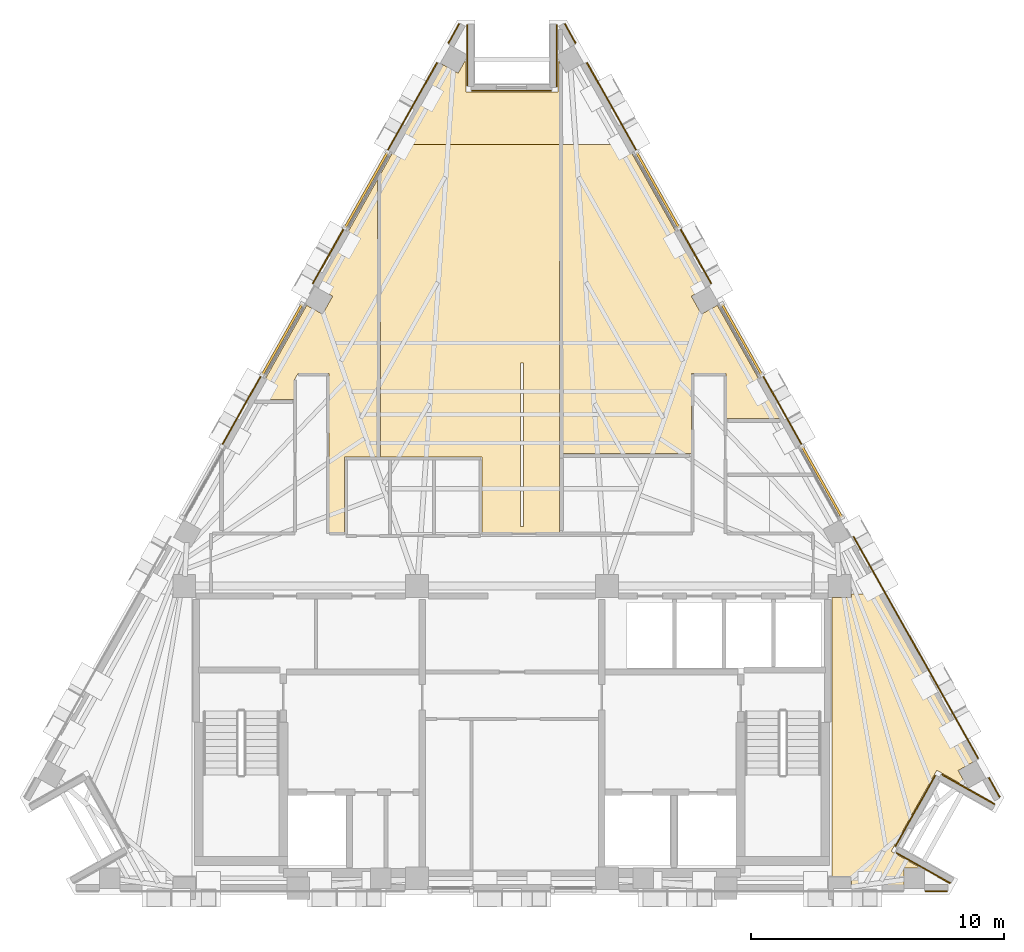
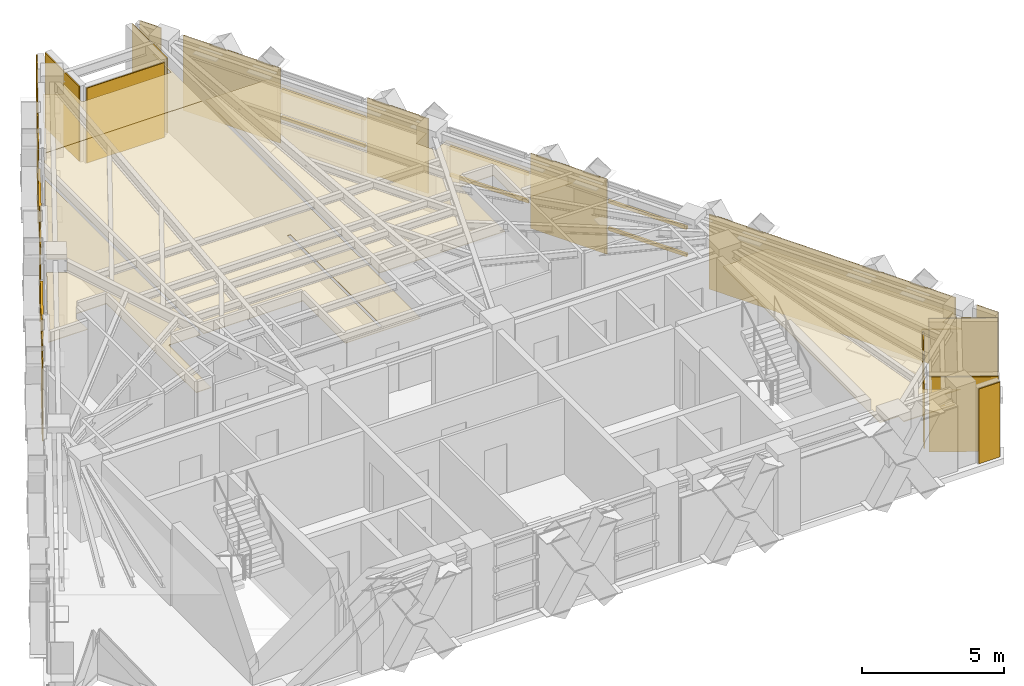
# One storey, part 11 of 11: 22 coverings, 10 shading devices.
"""IFC4 building model written with IfcOpenShell, lengths in metres."""

from ifc_helpers import new_model, si_unit, direction, frame, origin, origin_2d, place, context, subcontext, project, spatial, polyline, rectangle, outline, extrude, material, layer, layer_set, material_profile, profile_set, type_object, element, save


model = new_model("IFC4")

# Units and contexts
model_context = context("Model", 3, precision=1e-05, world=origin(), true_north=direction((0.0, 1.0)))
body_context = subcontext(model_context, "Body", "Model", "MODEL_VIEW")
ifc_project = project(units=[si_unit("LENGTHUNIT", "METRE"), si_unit("AREAUNIT", "SQUARE_METRE"), si_unit("VOLUMEUNIT", "CUBIC_METRE"), si_unit("PLANEANGLEUNIT", "RADIAN"), si_unit("MASSUNIT", "GRAM", prefix="KILO")], contexts=[model_context])

# Site, building, storey
site_placement = place(None, origin())
site = spatial("IfcSite", under=ifc_project, at=site_placement, CompositionType="ELEMENT")
building_placement = place(site_placement, origin())
building = spatial("IfcBuilding", under=site, at=building_placement, Name="Quenlor Broadcast Tower", CompositionType="ELEMENT")
storey_placement = place(building_placement, frame((0.0, 0.0, 263.89990234375)))
storey = spatial("IfcBuildingStorey", under=building, at=storey_placement, Name="L73", CompositionType="ELEMENT", Elevation=263.89990234375)

# Coverings
ifc_material_1 = material(Name="Acoustic Mineral Fibre Board", Category="other")
ifc_layer_1 = layer(ifc_material_1, 0.02490234375)
ifc_layer_set_1 = layer_set([ifc_layer_1], Name="Acoustic Perforated Mineral Tile Ceiling 25")
covering_type_1 = type_object("IfcCoveringType", Name="Acoustic Perforated Mineral Tile Ceiling 25", PredefinedType="CEILING", material=ifc_layer_set_1)
covering_1_placement = place(storey_placement, frame((0.0, 0.0, 2.714599609375)))
element("IfcCovering", 1, at=covering_1_placement, inside=storey, type_object=covering_type_1, Name="L73 Acoustic Ceiling L73-24", PredefinedType="CEILING", context=body_context, shape_type="SweptSolid", body=[
    extrude(outline(polyline([(1.8798828125, -2.699951171875), (-1.179931640625, -2.699951171875), (-1.179931640625, 0.2900390625), (-5.199951171875, 0.2900390625), (-5.199951171875, 11.4619140625), (-4.53173828125, 12.64990234375), (1.8798828125, 12.64990234375), (1.8798828125, -2.699951171875)]), holes=[polyline([(0.340087890625, -2.449951171875), (0.4599609375, -2.449951171875), (0.4599609375, 4.010009765625), (0.340087890625, 4.010009765625), (0.340087890625, -2.449951171875)])]), origin(), (0.0, 0.0, 1.0), 0.025146484375),
])
covering_2_placement = place(storey_placement, frame((0.0, 0.0, 2.714599609375)))
element("IfcCovering", 2, at=covering_2_placement, inside=storey, type_object=covering_type_1, Name="L73 Acoustic Ceiling L73-24-2", PredefinedType="CEILING", context=body_context, shape_type="SweptSolid", body=[
    extrude(outline(polyline([(1.808837890625, 16.0263671875), (1.8798828125, 15.89990234375), (1.8798828125, 12.64990234375), (-4.53173828125, 12.64990234375), (-2.7548828125, 15.808837890625), (-2.129150390625, 15.456787109375), (-1.808837890625, 16.0263671875), (-1.808837890625, 14.719970703125), (1.808837890625, 14.719970703125), (1.808837890625, 16.0263671875)])), origin(), (0.0, 0.0, 1.0), 0.025146484375),
])
covering_3_placement = place(storey_placement, frame((0.0, 0.0, 2.714599609375)))
element("IfcCovering", 3, at=covering_3_placement, inside=storey, type_object=covering_type_1, Name="L73 Acoustic Ceiling L73-25", PredefinedType="CEILING", context=body_context, shape_type="SweptSolid", body=[
    extrude(outline(polyline([(7.10009765625, 0.425048828125), (2.0, 0.425048828125), (2.0, 12.64990234375), (4.53173828125, 12.64990234375), (7.711669921875, 6.996826171875), (7.0859375, 6.64501953125), (7.48583984375, 5.93359375), (8.11181640625, 6.28564453125), (10.62939453125, 1.81005859375), (8.4599609375, 1.81005859375), (8.4599609375, 3.590087890625), (7.10009765625, 3.590087890625), (7.10009765625, 0.425048828125)])), origin(), (0.0, 0.0, 1.0), 0.025146484375),
])
covering_4_placement = place(storey_placement, frame((0.0, 0.0, 2.714599609375)))
element("IfcCovering", 4, at=covering_4_placement, inside=storey, type_object=covering_type_1, Name="L73 Acoustic Ceiling L73-26", PredefinedType="CEILING", context=body_context, shape_type="SweptSolid", body=[
    extrude(outline(polyline([(-6.6201171875, 0.2900390625), (-6.6201171875, -2.699951171875), (-7.239990234375, -2.699951171875), (-7.239990234375, 3.590087890625), (-8.457763671875, 3.590087890625), (-8.60009765625, 3.337158203125), (-8.60009765625, 2.56005859375), (-10.20751953125, 2.56005859375), (-8.11181640625, 6.28564453125), (-7.48583984375, 5.93359375), (-7.0859375, 6.64501953125), (-7.711669921875, 6.996826171875), (-5.320068359375, 11.248779296875), (-5.320068359375, 0.2900390625), (-6.6201171875, 0.2900390625)])), origin(), (0.0, 0.0, 1.0), 0.025146484375),
])
ifc_material_2 = material(Name="Acoustic Gypsum Board", Category="other")
ifc_layer_2 = layer(ifc_material_2, 0.0400390625)
ifc_layer_set_2 = layer_set([ifc_layer_2], Name="Broadcast Studio Spring Isolated Ceiling 40")
covering_type_2 = type_object("IfcCoveringType", Name="Broadcast Studio Spring Isolated Ceiling 40", PredefinedType="CEILING", material=ifc_layer_set_2)
covering_5_placement = place(storey_placement, frame((0.0, 0.0, 2.69970703125)))
element("IfcCovering", 5, at=covering_5_placement, inside=storey, type_object=covering_type_2, Name="L73 Acoustic Ceiling L73-30-2", PredefinedType="CEILING", context=body_context, shape_type="SweptSolid", body=[
    extrude(outline(polyline([(13.407958984375, -5.1201171875), (14.52734375, -5.1201171875), (18.25244140625, -11.7421875), (17.626708984375, -12.09423828125), (18.0087890625, -12.773681640625), (16.785888671875, -12.085693359375), (14.983642578125, -15.28955078125), (16.1435546875, -15.94189453125), (15.489501953125, -15.94189453125), (15.489501953125, -16.659912109375), (13.407958984375, -16.659912109375), (13.407958984375, -16.2919921875), (12.64990234375, -16.2919921875), (12.64990234375, -5.258056640625), (13.407958984375, -5.258056640625), (13.407958984375, -5.1201171875)])), origin(), (0.0, 0.0, 1.0), 0.0400390625),
])

# Shading devices
ifc_material_3 = material(Name="Architectural Terracotta Ceramic", Category="masonry")
ifc_material_profile = material_profile(ifc_material_3, rectangle(XDim=0.090087890625, YDim=0.139892578125, at=origin_2d()))
ifc_profile_set = profile_set([ifc_material_profile], Name="Architectural Terracotta Ceramic BAG90x140")
shading_device_type = type_object("IfcShadingDeviceType", Name="Copper Terracotta Baguette Solar Screen 140", PredefinedType="USERDEFINED", material=ifc_profile_set)
for number, where, z_axis, x_axis, name in (
    (6, (4.920654296875, 12.331787109375, 1.170166015625), (0.490251066516, -0.871581259425, 0.0), (0.871581259425, 0.490251066516, 0.0), "L73 Terracotta Baguette Screen 1"),
    (7, (4.920654296875, 12.331787109375, 2.340087890625), (0.490251066516, -0.871581259425, 0.0), (0.871581259425, 0.490251066516, 0.0), "L73 Terracotta Baguette Screen 2"),
):
    element("IfcShadingDevice", number, at=place(storey_placement, frame(where, z_axis=z_axis, x_axis=x_axis)), inside=storey, type_object=shading_device_type, Name=name, ObjectType="BAGUETTE", PredefinedType="USERDEFINED", context=body_context, shape_type="SweptSolid", body=[
        extrude(rectangle(XDim=0.090087890625, YDim=0.139892578125, at=origin_2d()), origin(), (0.0, 0.0, 1.0), 3.418212890625),
    ])
for number, where, z_axis, x_axis, name in (
    (8, (8.29296875, 6.336669921875, 1.170166015625), (0.490261239633, -0.871575537125, 0.0), (0.871575537125, 0.490261239633, 0.0), "L73 Terracotta Baguette Screen 1"),
    (9, (8.29296875, 6.336669921875, 2.340087890625), (0.490261239633, -0.871575537125, 0.0), (0.871575537125, 0.490261239633, 0.0), "L73 Terracotta Baguette Screen 2"),
    (10, (11.460205078125, 0.706298828125, 1.170166015625), (0.490203442487, -0.871608045496, 0.0), (0.871608045496, 0.490203442487, 0.0), "L73 Terracotta Baguette Screen 1"),
    (11, (11.460205078125, 0.706298828125, 2.340087890625), (0.490203442487, -0.871608045496, 0.0), (0.871608045496, 0.490203442487, 0.0), "L73 Terracotta Baguette Screen 2"),
):
    element("IfcShadingDevice", number, at=place(storey_placement, frame(where, z_axis=z_axis, x_axis=x_axis)), inside=storey, type_object=shading_device_type, Name=name, ObjectType="BAGUETTE", PredefinedType="USERDEFINED", context=body_context, shape_type="SweptSolid", body=[
        extrude(rectangle(XDim=0.090087890625, YDim=0.139892578125, at=origin_2d()), origin(), (0.0, 0.0, 1.0), 3.208984375),
    ])
for number, where, z_axis, x_axis, name in (
    (12, (-6.596435546875, 9.3525390625, 1.170166015625), (0.490251066516, 0.871581259425, 0.0), (-0.871581259425, 0.490251066516, 0.0), "L73 Terracotta Baguette Screen 1"),
    (13, (-6.596435546875, 9.3525390625, 2.340087890625), (0.490251066516, 0.871581259425, 0.0), (-0.871581259425, 0.490251066516, 0.0), "L73 Terracotta Baguette Screen 2"),
):
    element("IfcShadingDevice", number, at=place(storey_placement, frame(where, z_axis=z_axis, x_axis=x_axis)), inside=storey, type_object=shading_device_type, Name=name, ObjectType="BAGUETTE", PredefinedType="USERDEFINED", context=body_context, shape_type="SweptSolid", body=[
        extrude(rectangle(XDim=0.090087890625, YDim=0.139892578125, at=origin_2d()), origin(), (0.0, 0.0, 1.0), 3.418212890625),
    ])
for number, where, z_axis, x_axis, name in (
    (14, (-9.8662109375, 3.539794921875, 1.170166015625), (0.490261239633, 0.871575537125, 0.0), (-0.871575537125, 0.490261239633, 0.0), "L73 Terracotta Baguette Screen 1"),
    (15, (-9.8662109375, 3.539794921875, 2.340087890625), (0.490261239633, 0.871575537125, 0.0), (-0.871575537125, 0.490261239633, 0.0), "L73 Terracotta Baguette Screen 2"),
):
    element("IfcShadingDevice", number, at=place(storey_placement, frame(where, z_axis=z_axis, x_axis=x_axis)), inside=storey, type_object=shading_device_type, Name=name, ObjectType="BAGUETTE", PredefinedType="USERDEFINED", context=body_context, shape_type="SweptSolid", body=[
        extrude(rectangle(XDim=0.090087890625, YDim=0.139892578125, at=origin_2d()), origin(), (0.0, 0.0, 1.0), 3.208984375),
    ])

# Coverings
ifc_material_4 = material(Name="Architectural Terracotta Ceramic", Category="masonry")
ifc_layer_3 = layer(ifc_material_4, 0.044921875)
ifc_layer_set_3 = layer_set([ifc_layer_3], Name="Fluted Terracotta Rainscreen Cladding Panel")
covering_type_3 = type_object("IfcCoveringType", Name="Fluted Terracotta Rainscreen Cladding Panel", PredefinedType="CLADDING", material=ifc_layer_set_3)
covering_6_placement = place(storey_placement, frame((0.0, 0.0, 0.02001953125)))
element("IfcCovering", 16, at=covering_6_placement, inside=storey, type_object=covering_type_3, Name="L73 Terracotta Rainscreen Cladding L73-SHD-SS0", PredefinedType="CLADDING", context=body_context, shape_type="SweptSolid", body=[
    extrude(outline(polyline([(17.18994140625, -16.8369140625), (16.33251953125, -16.8369140625), (16.33251953125, -16.882080078125), (17.18994140625, -16.882080078125), (17.18994140625, -16.8369140625)])), origin(), (0.0, 0.0, 1.0), 3.2099609375),
])
covering_7_placement = place(storey_placement, frame((0.0, 0.0, 0.02001953125)))
element("IfcCovering", 17, at=covering_7_placement, inside=storey, type_object=covering_type_3, Name="L73 Terracotta Rainscreen Cladding L73-SHD-NES0", PredefinedType="CLADDING", context=body_context, shape_type="SweptSolid", body=[
    extrude(outline(polyline([(2.06201171875, 17.401611328125), (2.495849609375, 16.630615234375), (2.534912109375, 16.652587890625), (2.101318359375, 17.423583984375), (2.06201171875, 17.401611328125)])), origin(), (0.0, 0.0, 1.0), 3.2099609375),
])
covering_8_placement = place(storey_placement, frame((0.0, 0.0, 0.02001953125)))
element("IfcCovering", 18, at=covering_8_placement, inside=storey, type_object=covering_type_3, Name="L73 Terracotta Rainscreen Cladding L73-SHD-NES1", PredefinedType="CLADDING", context=body_context, shape_type="SweptSolid", body=[
    extrude(outline(polyline([(18.820068359375, -12.39013671875), (19.25390625, -13.161376953125), (19.29296875, -13.139404296875), (18.859130859375, -12.3681640625), (18.820068359375, -12.39013671875)])), origin(), (0.0, 0.0, 1.0), 3.2099609375),
])
covering_9_placement = place(storey_placement, frame((0.0, 0.0, 0.02001953125)))
element("IfcCovering", 19, at=covering_9_placement, inside=storey, type_object=covering_type_3, Name="L73 Terracotta Rainscreen Cladding L73-NEA-SP1", PredefinedType="CLADDING", context=body_context, shape_type="SweptSolid", body=[
    extrude(outline(polyline([(2.94091796875, 15.859619140625), (4.8935546875, 12.388427734375), (4.9326171875, 12.410400390625), (2.980224609375, 15.881591796875), (2.94091796875, 15.859619140625)])), origin(), (0.0, 0.0, 1.0), 3.2099609375),
])
covering_10_placement = place(storey_placement, frame((0.0, 0.0, 0.02001953125)))
element("IfcCovering", 20, at=covering_10_placement, inside=storey, type_object=covering_type_3, Name="L73 Terracotta Rainscreen Cladding L73-NEA-SP2", PredefinedType="CLADDING", context=body_context, shape_type="SweptSolid", body=[
    extrude(outline(polyline([(6.630615234375, 9.300048828125), (7.8515625, 7.129638671875), (7.890625, 7.151611328125), (6.669921875, 9.322021484375), (6.630615234375, 9.300048828125)])), origin(), (0.0, 0.0, 1.0), 3.2099609375),
])
covering_11_placement = place(storey_placement, frame((0.0, 0.0, 0.02001953125)))
element("IfcCovering", 21, at=covering_11_placement, inside=storey, type_object=covering_type_3, Name="L73 Terracotta Rainscreen Cladding L73-EW-NEC", PredefinedType="CLADDING", context=body_context, shape_type="SweptSolid", body=[
    extrude(outline(polyline([(13.471923828125, -2.862060546875), (18.402099609375, -11.626953125), (18.44140625, -11.60498046875), (13.51123046875, -2.840087890625), (13.471923828125, -2.862060546875)])), origin(), (0.0, 0.0, 1.0), 3.2099609375),
])
covering_12_placement = place(storey_placement, frame((0.0, 0.0, 0.02001953125)))
element("IfcCovering", 22, at=covering_12_placement, inside=storey, type_object=covering_type_3, Name="L73 Terracotta Rainscreen Cladding L73-NE-SP1", PredefinedType="CLADDING", context=body_context, shape_type="SweptSolid", body=[
    extrude(outline(polyline([(9.900390625, 3.4873046875), (11.432861328125, 0.7626953125), (11.47216796875, 0.784912109375), (9.939697265625, 3.50927734375), (9.900390625, 3.4873046875)])), origin(), (0.0, 0.0, 1.0), 3.2099609375),
])
covering_13_placement = place(storey_placement, frame((0.0, 0.0, 0.02001953125)))
element("IfcCovering", 23, at=covering_13_placement, inside=storey, type_object=covering_type_3, Name="L73 Terracotta Rainscreen Cladding L73-SHD-NWS1", PredefinedType="CLADDING", context=body_context, shape_type="SweptSolid", body=[
    extrude(outline(polyline([(-2.495849609375, 16.630615234375), (-2.06201171875, 17.401611328125), (-2.101318359375, 17.423583984375), (-2.534912109375, 16.652587890625), (-2.495849609375, 16.630615234375)])), origin(), (0.0, 0.0, 1.0), 3.2099609375),
])
covering_14_placement = place(storey_placement, frame((0.0, 0.0, 0.02001953125)))
element("IfcCovering", 24, at=covering_14_placement, inside=storey, type_object=covering_type_3, Name="L73 Terracotta Rainscreen Cladding L73-NWC-SP1", PredefinedType="CLADDING", context=body_context, shape_type="SweptSolid", body=[
    extrude(outline(polyline([(-7.8515625, 7.129638671875), (-6.630615234375, 9.300048828125), (-6.669921875, 9.322021484375), (-7.890625, 7.151611328125), (-7.8515625, 7.129638671875)])), origin(), (0.0, 0.0, 1.0), 3.2099609375),
])
covering_15_placement = place(storey_placement, frame((0.0, 0.0, 0.02001953125)))
element("IfcCovering", 25, at=covering_15_placement, inside=storey, type_object=covering_type_3, Name="L73 Terracotta Rainscreen Cladding L73-NWC-SP2", PredefinedType="CLADDING", context=body_context, shape_type="SweptSolid", body=[
    extrude(outline(polyline([(-4.8935546875, 12.388427734375), (-2.94091796875, 15.859619140625), (-2.980224609375, 15.881591796875), (-4.9326171875, 12.410400390625), (-4.8935546875, 12.388427734375)])), origin(), (0.0, 0.0, 1.0), 3.2099609375),
])
covering_16_placement = place(storey_placement, frame((0.0, 0.0, 0.02001953125)))
element("IfcCovering", 26, at=covering_16_placement, inside=storey, type_object=covering_type_3, Name="L73 Terracotta Rainscreen Cladding L73-NW-SP1", PredefinedType="CLADDING", context=body_context, shape_type="SweptSolid", body=[
    extrude(outline(polyline([(-11.432861328125, 0.7626953125), (-9.900390625, 3.4873046875), (-9.939697265625, 3.50927734375), (-11.47216796875, 0.784912109375), (-11.432861328125, 0.7626953125)])), origin(), (0.0, 0.0, 1.0), 3.2099609375),
])
covering_17_placement = place(storey_placement, frame((0.0, 0.0, 0.02001953125)))
element("IfcCovering", 27, at=covering_17_placement, inside=storey, type_object=covering_type_3, Name="L73 Terracotta Rainscreen Cladding L73-CNR-01", PredefinedType="CLADDING", context=body_context, shape_type="SweptSolid", body=[
    extrude(outline(polyline([(17.32666015625, -16.529541015625), (15.199951171875, -15.333251953125), (15.177978515625, -15.372314453125), (17.3046875, -16.568603515625), (17.32666015625, -16.529541015625)])), origin(), (0.0, 0.0, 1.0), 3.2099609375),
])
covering_18_placement = place(storey_placement, frame((0.0, 0.0, 0.02001953125)))
element("IfcCovering", 28, at=covering_18_placement, inside=storey, type_object=covering_type_3, Name="L73 Terracotta Rainscreen Cladding L73-CNR-02", PredefinedType="CLADDING", context=body_context, shape_type="SweptSolid", body=[
    extrude(outline(polyline([(15.16552734375, -15.10498046875), (16.7421875, -12.302001953125), (16.702880859375, -12.280029296875), (15.126220703125, -15.0830078125), (15.16552734375, -15.10498046875)])), origin(), (0.0, 0.0, 1.0), 2.749755859375),
])
covering_19_placement = place(storey_placement, frame((0.0, 0.0, 0.02001953125)))
element("IfcCovering", 29, at=covering_19_placement, inside=storey, type_object=covering_type_3, Name="L73 Terracotta Rainscreen Cladding L73-CNR-03", PredefinedType="CLADDING", context=body_context, shape_type="SweptSolid", body=[
    extrude(outline(polyline([(16.970458984375, -12.267578125), (19.062255859375, -13.444091796875), (19.084228515625, -13.405029296875), (16.992431640625, -12.228271484375), (16.970458984375, -12.267578125)])), origin(), (0.0, 0.0, 1.0), 3.2099609375),
])
covering_20_placement = place(storey_placement, frame((0.0, 0.0, 0.02001953125)))
element("IfcCovering", 30, at=covering_20_placement, inside=storey, type_object=covering_type_3, Name="L73 Terracotta Rainscreen Cladding L73-CNR-07", PredefinedType="CLADDING", context=body_context, shape_type="SweptSolid", body=[
    extrude(outline(polyline([(1.74072265625, 17.3701171875), (1.74072265625, 14.929931640625), (1.785888671875, 14.929931640625), (1.785888671875, 17.3701171875), (1.74072265625, 17.3701171875)])), origin(), (0.0, 0.0, 1.0), 3.2099609375),
])
covering_21_placement = place(storey_placement, frame((0.0, 0.0, 0.02001953125)))
element("IfcCovering", 31, at=covering_21_placement, inside=storey, type_object=covering_type_3, Name="L73 Terracotta Rainscreen Cladding L73-CNR-08", PredefinedType="CLADDING", context=body_context, shape_type="SweptSolid", body=[
    extrude(outline(polyline([(1.558837890625, 14.7880859375), (-1.598876953125, 14.7880859375), (-1.598876953125, 14.742919921875), (1.558837890625, 14.742919921875), (1.558837890625, 14.7880859375)])), origin(), (0.0, 0.0, 1.0), 3.2099609375),
])
covering_22_placement = place(storey_placement, frame((0.0, 0.0, 0.02001953125)))
element("IfcCovering", 32, at=covering_22_placement, inside=storey, type_object=covering_type_3, Name="L73 Terracotta Rainscreen Cladding L73-CNR-09", PredefinedType="CLADDING", context=body_context, shape_type="SweptSolid", body=[
    extrude(outline(polyline([(-1.74072265625, 14.969970703125), (-1.74072265625, 17.3701171875), (-1.785888671875, 17.3701171875), (-1.785888671875, 14.969970703125), (-1.74072265625, 14.969970703125)])), origin(), (0.0, 0.0, 1.0), 3.2099609375),
])

save(model, "model.ifc")
